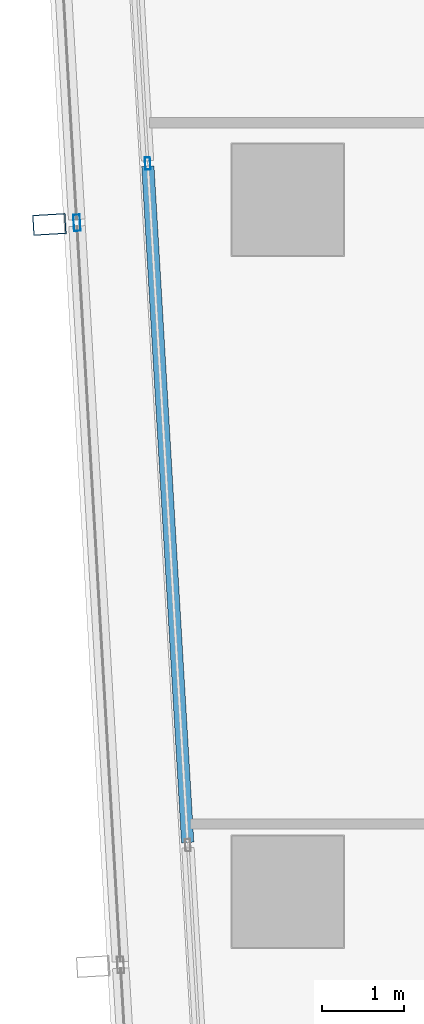
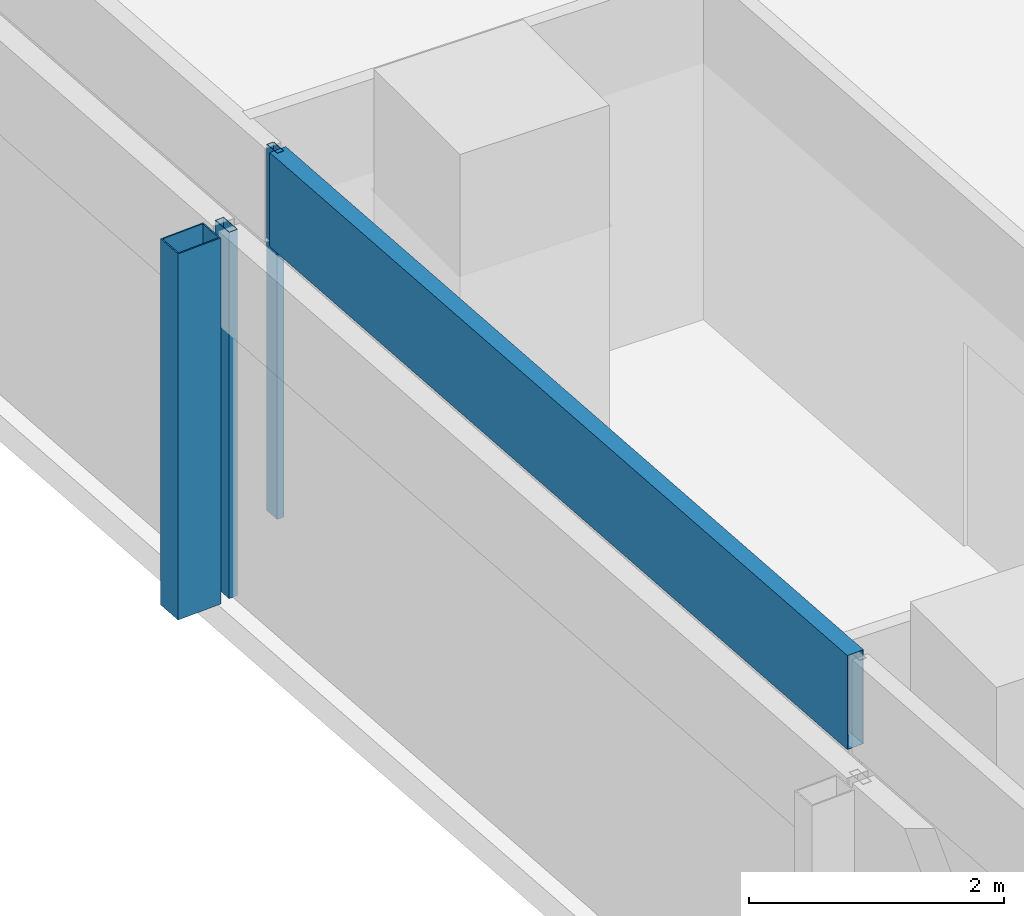
# One storey, part 8 of 33: 4 members, 2 elements without a shape of their own.
"""IFC4 building model written with IfcOpenShell, lengths in metres."""

from ifc_helpers import new_model, si_unit, direction, frame, origin, origin_2d, place, context, subcontext, project, spatial, hollow_rectangle, extrude, material, material_profile, profile_set, type_object, element, aggregate, save


model = new_model("IFC4")

# Units and contexts
model_context = context("Model", 3, precision=1e-05, world=origin(), true_north=direction((0.0, 1.0)))
body_context = subcontext(model_context, "Body", "Model", "MODEL_VIEW")
ifc_project = project(units=[si_unit("LENGTHUNIT", "METRE"), si_unit("AREAUNIT", "SQUARE_METRE"), si_unit("VOLUMEUNIT", "CUBIC_METRE"), si_unit("PLANEANGLEUNIT", "RADIAN"), si_unit("MASSUNIT", "GRAM", prefix="KILO")], contexts=[model_context])

# Site, building, storey
site_placement = place(None, origin())
site = spatial("IfcSite", under=ifc_project, at=site_placement, CompositionType="ELEMENT")
building_placement = place(site_placement, origin())
building = spatial("IfcBuilding", under=site, at=building_placement, Name="Rekha Terrace Tower", CompositionType="ELEMENT")
storey_placement = place(building_placement, frame((0.0, 0.0, 206.449951171875)))
storey = spatial("IfcBuildingStorey", under=building, at=storey_placement, Name="L52", CompositionType="ELEMENT", Elevation=206.449951171875)

# Curtain wall, member
ifc_material_1 = material(Name="Aluminium framing", Category="aluminium")
curtain_wall_type_1 = type_object("IfcCurtainWallType", Name="CW2 double skin outer glazing", PredefinedType="USERDEFINED", material=ifc_material_1)
curtain_wall_1_placement = place(storey_placement, origin())
curtain_wall_1 = element("IfcCurtainWall", 1, at=curtain_wall_1_placement, inside=storey, type_object=curtain_wall_type_1, Name="CW2 double skin outer glazing", ObjectType="DOUBLE SKIN OUTER GLAZING", PredefinedType="USERDEFINED")
ifc_material_2 = material(Name="Steel S355 with fluorocarbon finish", Category="steel")
ifc_material_profile_1 = material_profile(ifc_material_2, hollow_rectangle(XDim=0.25, YDim=0.39990234375, WallThickness=0.012451171875, at=origin_2d()), Name="RHS400x250x12.5")
ifc_profile_set_1 = profile_set([ifc_material_profile_1], Name="Steel S355 with fluorocarbon finish")
member_type_1 = type_object("IfcMemberType", Name="BL1 facade blade RHS 400 x 250", PredefinedType="USERDEFINED", material=ifc_profile_set_1)
member_1_placement = place(storey_placement, frame((5.50634765625, 33.300048828125, 0.0), z_axis=(0.0, 0.0, 1.0), x_axis=(0.058764522885, -0.998271872212, 0.0)))
member_1 = element("IfcMember", 2, at=member_1_placement, type_object=member_type_1, Name="Facade blade", ObjectType="FACADE BLADE", PredefinedType="USERDEFINED", context=body_context, shape_type="SweptSolid", body=[
    extrude(hollow_rectangle(XDim=0.25, YDim=0.39990234375, WallThickness=0.012451171875, at=origin_2d()), origin(), (0.0, 0.0, 1.0), 3.5),
])

# Curtain wall, members
curtain_wall_type_2 = type_object("IfcCurtainWallType", Name="CW1 double skin inner glazing", PredefinedType="USERDEFINED", material=ifc_material_1)
curtain_wall_2_placement = place(storey_placement, origin())
curtain_wall_2 = element("IfcCurtainWall", 3, at=curtain_wall_2_placement, inside=storey, type_object=curtain_wall_type_2, Name="CW1 double skin inner glazing", ObjectType="DOUBLE SKIN INNER GLAZING", PredefinedType="USERDEFINED")
ifc_material_3 = material(Name="Aluminium mullion section", Category="aluminium")
ifc_material_profile_2 = material_profile(ifc_material_3, hollow_rectangle(XDim=0.06494140625, YDim=0.14990234375, WallThickness=0.00390625, at=origin_2d()), Name="AL RHS 65x150")
ifc_profile_set_2 = profile_set([ifc_material_profile_2], Name="Aluminium mullion section")
member_type_2 = type_object("IfcMemberType", Name="CW1 mullion RHS 65 x 150", PredefinedType="MULLION", material=ifc_profile_set_2)
member_2_placement = place(storey_placement, frame((6.69970703125, 34.040283203125, 0.0), z_axis=(0.0, 0.0, 1.0), x_axis=(0.998271839269, 0.058765082516, 0.0)))
member_2 = element("IfcMember", 4, at=member_2_placement, type_object=member_type_2, Name="CW1 mullion 2", PredefinedType="MULLION", context=body_context, shape_type="SweptSolid", body=[
    extrude(hollow_rectangle(XDim=0.06494140625, YDim=0.14990234375, WallThickness=0.00390625, at=origin_2d()), origin(), (0.0, 0.0, 1.0), 3.5),
])
ifc_material_4 = material(Name="Insulated aluminium spandrel box", Category="aluminium")
ifc_material_profile_3 = material_profile(ifc_material_4, hollow_rectangle(XDim=0.14990234375, YDim=0.89990234375, WallThickness=0.0029296875, at=origin_2d()), Name="AL SPANDREL BOX 150x900")
ifc_profile_set_3 = profile_set([ifc_material_profile_3], Name="Insulated aluminium spandrel box")
member_type_3 = type_object("IfcMemberType", Name="CW1 spandrel transom 150 x 900", PredefinedType="USERDEFINED", material=ifc_profile_set_3)
member_3_placement = place(storey_placement, frame((6.70166015625, 34.0078125, 3.050048828125), z_axis=(0.058782934148, -0.99827078824, 0.0), x_axis=(0.99827078824, 0.058782934148, 0.0)))
member_3 = element("IfcMember", 5, at=member_3_placement, type_object=member_type_3, Name="CW1 spandrel transom 2", ObjectType="TRANSOM", PredefinedType="USERDEFINED", context=body_context, shape_type="SweptSolid", body=[
    extrude(hollow_rectangle(XDim=0.14990234375, YDim=0.89990234375, WallThickness=0.0029296875, at=origin_2d()), origin(), (0.0, 0.0, 1.0), 8.223388671875),
])
aggregate(curtain_wall_2, [member_2, member_3])

# Member
ifc_material_profile_4 = material_profile(ifc_material_3, hollow_rectangle(XDim=0.080078125, YDim=0.199951171875, WallThickness=0.00390625, at=origin_2d()), Name="AL RHS 80x200")
ifc_profile_set_4 = profile_set([ifc_material_profile_4], Name="Aluminium mullion section")
member_type_4 = type_object("IfcMemberType", Name="CW2 mullion RHS 80 x 200", PredefinedType="MULLION", material=ifc_profile_set_4)
member_4_placement = place(storey_placement, frame((5.840576171875, 33.31982421875, 0.0), z_axis=(0.0, 0.0, 1.0), x_axis=(0.99827183927, 0.058765082499, 0.0)))
member_4 = element("IfcMember", 6, at=member_4_placement, type_object=member_type_4, Name="CW2 mullion 2", PredefinedType="MULLION", context=body_context, shape_type="SweptSolid", body=[
    extrude(hollow_rectangle(XDim=0.080078125, YDim=0.199951171875, WallThickness=0.00390625, at=origin_2d()), origin(), (0.0, 0.0, 1.0), 3.5),
])

aggregate(curtain_wall_1, [member_4, member_1])

save(model, "model.ifc")
